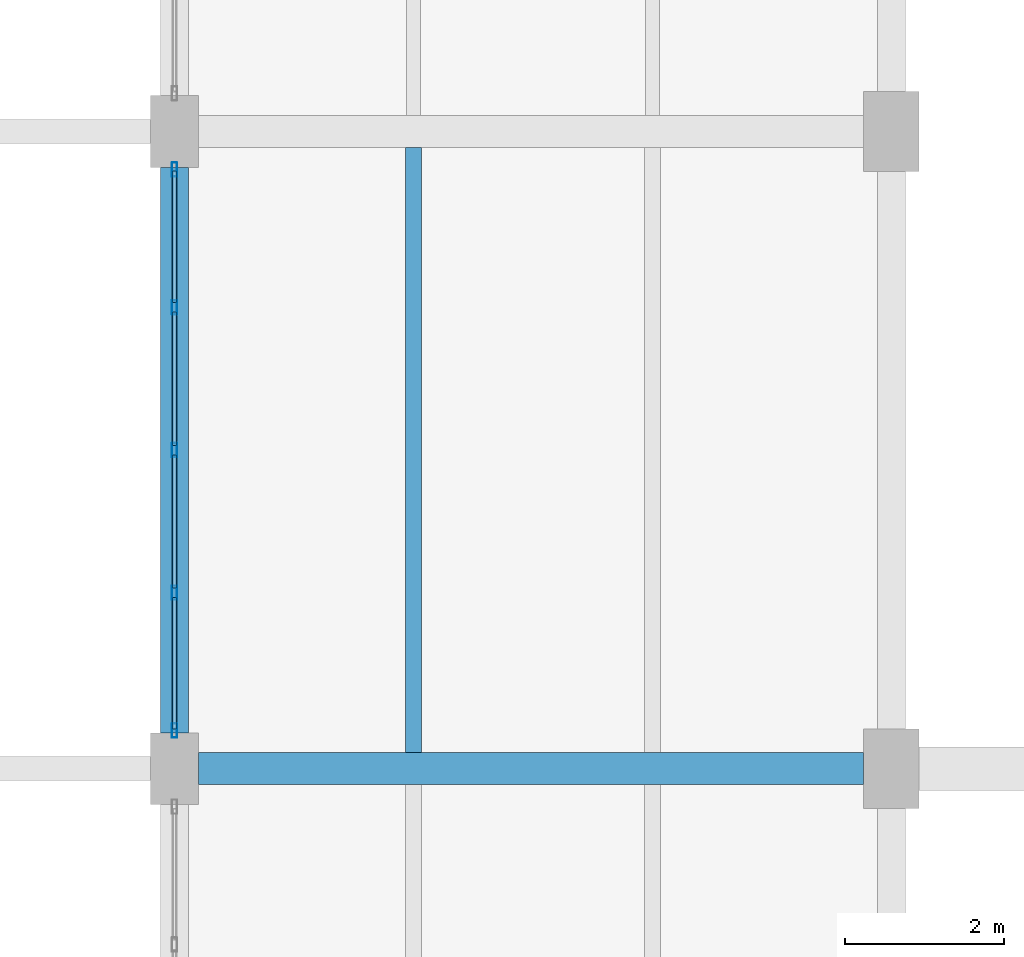
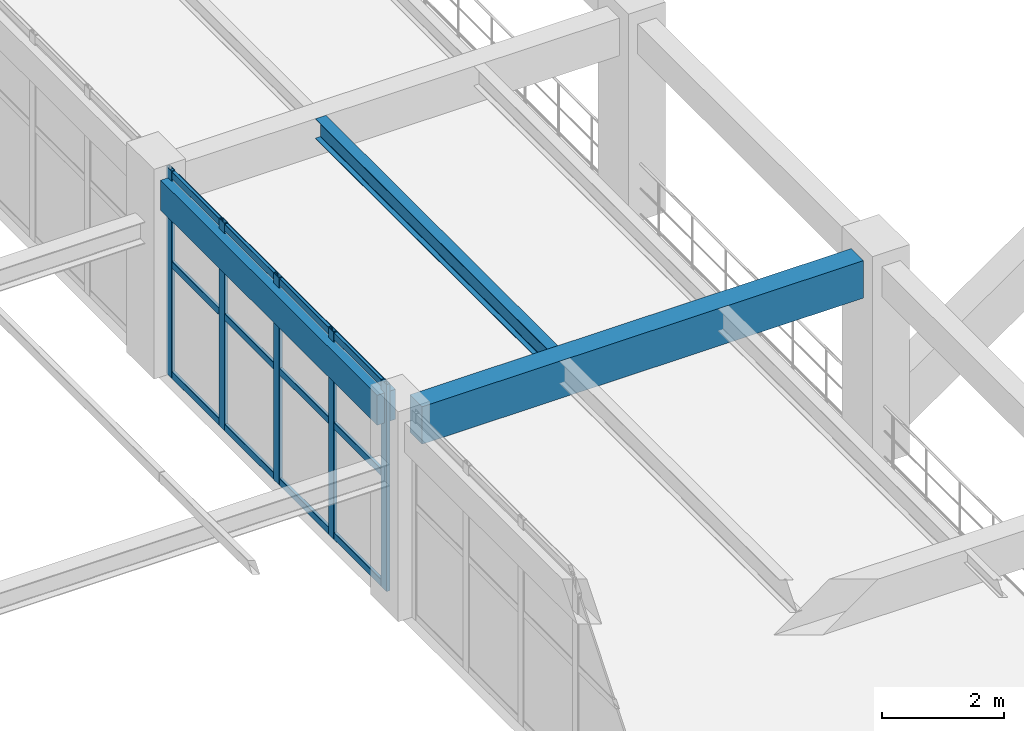
# One storey, part 36 of 148: 17 members, 3 beams, 1 element without a shape of its own.
"""IFC4 building model written with IfcOpenShell, lengths in metres."""

from ifc_helpers import new_model, si_unit, derived_unit, direction, frame, origin, origin_2d, place, context, subcontext, project, spatial, rectangle, hollow_rectangle, i_section, extrude, material, material_profile, profile_set, type_object, element, aggregate, save


model = new_model("IFC4")

# Units and contexts
model_context = context("Model", 3, precision=1e-05, world=origin(), true_north=direction((0.0, 1.0)))
body_context = subcontext(model_context, "Body", "Model", "MODEL_VIEW")
ifc_project = project(units=[si_unit("LENGTHUNIT", "METRE"), si_unit("AREAUNIT", "SQUARE_METRE"), si_unit("VOLUMEUNIT", "CUBIC_METRE"), si_unit("PLANEANGLEUNIT", "RADIAN"), si_unit("MASSUNIT", "GRAM", prefix="KILO"), derived_unit("THERMALTRANSMITTANCEUNIT", [(si_unit("MASSUNIT", "GRAM", prefix="KILO"), 1), (si_unit("TIMEUNIT", "SECOND"), -3), (si_unit("THERMODYNAMICTEMPERATUREUNIT", "KELVIN"), -1)])], contexts=[model_context])

# Site, building, storey
site_placement = place(None, origin())
site = spatial("IfcSite", under=ifc_project, at=site_placement, CompositionType="ELEMENT")
building_placement = place(site_placement, origin())
building = spatial("IfcBuilding", under=site, at=building_placement, Name="Zhenchuan Archway Interchange", CompositionType="ELEMENT")
storey_placement = place(building_placement, frame((0.0, 0.0, 10.199951171875)))
storey = spatial("IfcBuildingStorey", under=building, at=storey_placement, Name="L02", CompositionType="ELEMENT", Elevation=10.199951171875)

# Beam
ifc_material_1 = material(Name="Concrete C40", Category="concrete")
ifc_material_profile_1 = material_profile(ifc_material_1, rectangle(XDim=0.39990234375, YDim=0.75, at=origin_2d()), Name="RC 400x750")
ifc_profile_set_1 = profile_set([ifc_material_profile_1], Name="Concrete C40")
beam_type_1 = type_object("IfcBeamType", Name="BM_RC_400x750", PredefinedType="BEAM", material=ifc_profile_set_1)
beam_1_placement = place(storey_placement, frame((27.300048828125, 48.0, 3.56494140625), z_axis=(1.0, 0.0, 0.0), x_axis=(0.0, 1.0, 0.0)))
element("IfcBeam", 1, at=beam_1_placement, inside=storey, type_object=beam_type_1, Name="Beam G:4-5 (L02)", PredefinedType="BEAM", context=body_context, shape_type="SweptSolid", body=[
    extrude(rectangle(XDim=0.39990234375, YDim=0.75, at=origin_2d()), origin(), (0.0, 0.0, 1.0), 8.349853515625),
])

# Curtain wall, members
ifc_material_2 = material(Name="Anodised Aluminium", Category="aluminium")
curtain_wall_type = type_object("IfcCurtainWallType", Name="CW_UNIT_2", PredefinedType="NOTDEFINED", material=ifc_material_2)
curtain_wall_placement = place(storey_placement, origin())
curtain_wall = element("IfcCurtainWall", 2, at=curtain_wall_placement, inside=storey, type_object=curtain_wall_type, Name="Unitised curtain wall CW:L02:129", PredefinedType="NOTDEFINED")
ifc_material_profile_2 = material_profile(ifc_material_2, hollow_rectangle(XDim=0.070068359375, YDim=0.179931640625, WallThickness=0.00390625, InnerFilletRadius=0.00390625, OuterFilletRadius=0.008056640625, at=origin_2d()), Name="ALU 180x70x4")
ifc_profile_set_2 = profile_set([ifc_material_profile_2], Name="Anodised Aluminium")
member_type_1 = type_object("IfcMemberType", Name="CW_MUL_180", PredefinedType="MULLION", material=ifc_profile_set_2)
member_1_placement = place(storey_placement, frame((27.0, 48.47802734375, 0.0), z_axis=(0.0, 0.0, 1.0), x_axis=(1.0, 0.0, 0.0)))
member_1 = element("IfcMember", 3, at=member_1_placement, type_object=member_type_1, Name="CW:L02:129 mullion 0", PredefinedType="MULLION", context=body_context, shape_type="SweptSolid", body=[
    extrude(hollow_rectangle(XDim=0.070068359375, YDim=0.179931640625, WallThickness=0.00390625, InnerFilletRadius=0.00390625, OuterFilletRadius=0.008056640625, at=origin_2d()), origin(), (0.0, 0.0, 1.0), 4.14013671875),
])
member_2_placement = place(storey_placement, frame((27.0, 50.208984375, 0.0), z_axis=(0.0, 0.0, 1.0), x_axis=(1.0, 0.0, 0.0)))
member_2 = element("IfcMember", 4, at=member_2_placement, type_object=member_type_1, Name="CW:L02:129 mullion 1", PredefinedType="MULLION", context=body_context, shape_type="SweptSolid", body=[
    extrude(hollow_rectangle(XDim=0.070068359375, YDim=0.179931640625, WallThickness=0.00390625, InnerFilletRadius=0.00390625, OuterFilletRadius=0.008056640625, at=origin_2d()), origin(), (0.0, 0.0, 1.0), 4.14013671875),
])
member_3_placement = place(storey_placement, frame((27.0, 52.0, 0.0), z_axis=(0.0, 0.0, 1.0), x_axis=(1.0, 0.0, 0.0)))
member_3 = element("IfcMember", 5, at=member_3_placement, type_object=member_type_1, Name="CW:L02:129 mullion 2", PredefinedType="MULLION", context=body_context, shape_type="SweptSolid", body=[
    extrude(hollow_rectangle(XDim=0.070068359375, YDim=0.179931640625, WallThickness=0.00390625, InnerFilletRadius=0.00390625, OuterFilletRadius=0.008056640625, at=origin_2d()), origin(), (0.0, 0.0, 1.0), 4.14013671875),
])
member_4_placement = place(storey_placement, frame((27.0, 53.791015625, 0.0), z_axis=(0.0, 0.0, 1.0), x_axis=(1.0, 0.0, 0.0)))
member_4 = element("IfcMember", 6, at=member_4_placement, type_object=member_type_1, Name="CW:L02:129 mullion 3", PredefinedType="MULLION", context=body_context, shape_type="SweptSolid", body=[
    extrude(hollow_rectangle(XDim=0.070068359375, YDim=0.179931640625, WallThickness=0.00390625, InnerFilletRadius=0.00390625, OuterFilletRadius=0.008056640625, at=origin_2d()), origin(), (0.0, 0.0, 1.0), 4.14013671875),
])
member_5_placement = place(storey_placement, frame((27.0, 55.52197265625, 0.0), z_axis=(0.0, 0.0, 1.0), x_axis=(1.0, 0.0, 0.0)))
member_5 = element("IfcMember", 7, at=member_5_placement, type_object=member_type_1, Name="CW:L02:129 mullion 4", PredefinedType="MULLION", context=body_context, shape_type="SweptSolid", body=[
    extrude(hollow_rectangle(XDim=0.070068359375, YDim=0.179931640625, WallThickness=0.00390625, InnerFilletRadius=0.00390625, OuterFilletRadius=0.008056640625, at=origin_2d()), origin(), (0.0, 0.0, 1.0), 4.14013671875),
])
ifc_material_profile_3 = material_profile(ifc_material_2, hollow_rectangle(XDim=0.06005859375, YDim=0.139892578125, WallThickness=0.00341796875, InnerFilletRadius=0.00341796875, OuterFilletRadius=0.007080078125, at=origin_2d()), Name="ALU 140x60x3.5")
ifc_profile_set_3 = profile_set([ifc_material_profile_3], Name="Anodised Aluminium")
member_type_2 = type_object("IfcMemberType", Name="CW_TRN_140", PredefinedType="USERDEFINED", material=ifc_profile_set_3)
member_6_placement = place(storey_placement, frame((27.0, 48.498046875, 0.06005859375), z_axis=(0.0, 1.0, 0.0), x_axis=(-1.0, 0.0, 0.0)))
member_6 = element("IfcMember", 8, at=member_6_placement, type_object=member_type_2, Name="CW:L02:129 transom 0-1", ObjectType="TRANSOM", PredefinedType="USERDEFINED", context=body_context, shape_type="SweptSolid", body=[
    extrude(hollow_rectangle(XDim=0.06005859375, YDim=0.139892578125, WallThickness=0.00341796875, InnerFilletRadius=0.00341796875, OuterFilletRadius=0.007080078125, at=origin_2d()), origin(), (0.0, 0.0, 1.0), 1.65087890625),
])
member_7_placement = place(storey_placement, frame((27.0, 48.498046875, 2.26611328125), z_axis=(0.0, 1.0, 0.0), x_axis=(-1.0, 0.0, 0.0)))
member_7 = element("IfcMember", 9, at=member_7_placement, type_object=member_type_2, Name="CW:L02:129 transom 0-2", ObjectType="TRANSOM", PredefinedType="USERDEFINED", context=body_context, shape_type="SweptSolid", body=[
    extrude(hollow_rectangle(XDim=0.06005859375, YDim=0.139892578125, WallThickness=0.00341796875, InnerFilletRadius=0.00341796875, OuterFilletRadius=0.007080078125, at=origin_2d()), origin(), (0.0, 0.0, 1.0), 1.65087890625),
])
member_8_placement = place(storey_placement, frame((27.0, 48.498046875, 4.06005859375), z_axis=(0.0, 1.0, 0.0), x_axis=(-1.0, 0.0, 0.0)))
member_8 = element("IfcMember", 10, at=member_8_placement, type_object=member_type_2, Name="CW:L02:129 transom 0-3", ObjectType="TRANSOM", PredefinedType="USERDEFINED", context=body_context, shape_type="SweptSolid", body=[
    extrude(hollow_rectangle(XDim=0.06005859375, YDim=0.139892578125, WallThickness=0.00341796875, InnerFilletRadius=0.00341796875, OuterFilletRadius=0.007080078125, at=origin_2d()), origin(), (0.0, 0.0, 1.0), 1.65087890625),
])
member_9_placement = place(storey_placement, frame((27.0, 50.26904296875, 0.06005859375), z_axis=(0.0, 1.0, 0.0), x_axis=(-1.0, 0.0, 0.0)))
member_9 = element("IfcMember", 11, at=member_9_placement, type_object=member_type_2, Name="CW:L02:129 transom 1-1", ObjectType="TRANSOM", PredefinedType="USERDEFINED", context=body_context, shape_type="SweptSolid", body=[
    extrude(hollow_rectangle(XDim=0.06005859375, YDim=0.139892578125, WallThickness=0.00341796875, InnerFilletRadius=0.00341796875, OuterFilletRadius=0.007080078125, at=origin_2d()), origin(), (0.0, 0.0, 1.0), 1.6708984375),
])
member_10_placement = place(storey_placement, frame((27.0, 50.26904296875, 2.26611328125), z_axis=(0.0, 1.0, 0.0), x_axis=(-1.0, 0.0, 0.0)))
member_10 = element("IfcMember", 12, at=member_10_placement, type_object=member_type_2, Name="CW:L02:129 transom 1-2", ObjectType="TRANSOM", PredefinedType="USERDEFINED", context=body_context, shape_type="SweptSolid", body=[
    extrude(hollow_rectangle(XDim=0.06005859375, YDim=0.139892578125, WallThickness=0.00341796875, InnerFilletRadius=0.00341796875, OuterFilletRadius=0.007080078125, at=origin_2d()), origin(), (0.0, 0.0, 1.0), 1.6708984375),
])
member_11_placement = place(storey_placement, frame((27.0, 50.26904296875, 4.06005859375), z_axis=(0.0, 1.0, 0.0), x_axis=(-1.0, 0.0, 0.0)))
member_11 = element("IfcMember", 13, at=member_11_placement, type_object=member_type_2, Name="CW:L02:129 transom 1-3", ObjectType="TRANSOM", PredefinedType="USERDEFINED", context=body_context, shape_type="SweptSolid", body=[
    extrude(hollow_rectangle(XDim=0.06005859375, YDim=0.139892578125, WallThickness=0.00341796875, InnerFilletRadius=0.00341796875, OuterFilletRadius=0.007080078125, at=origin_2d()), origin(), (0.0, 0.0, 1.0), 1.6708984375),
])
member_12_placement = place(storey_placement, frame((27.0, 52.06005859375, 0.06005859375), z_axis=(0.0, 1.0, 0.0), x_axis=(-1.0, 0.0, 0.0)))
member_12 = element("IfcMember", 14, at=member_12_placement, type_object=member_type_2, Name="CW:L02:129 transom 2-1", ObjectType="TRANSOM", PredefinedType="USERDEFINED", context=body_context, shape_type="SweptSolid", body=[
    extrude(hollow_rectangle(XDim=0.06005859375, YDim=0.139892578125, WallThickness=0.00341796875, InnerFilletRadius=0.00341796875, OuterFilletRadius=0.007080078125, at=origin_2d()), origin(), (0.0, 0.0, 1.0), 1.6708984375),
])
member_13_placement = place(storey_placement, frame((27.0, 52.06005859375, 2.26611328125), z_axis=(0.0, 1.0, 0.0), x_axis=(-1.0, 0.0, 0.0)))
member_13 = element("IfcMember", 15, at=member_13_placement, type_object=member_type_2, Name="CW:L02:129 transom 2-2", ObjectType="TRANSOM", PredefinedType="USERDEFINED", context=body_context, shape_type="SweptSolid", body=[
    extrude(hollow_rectangle(XDim=0.06005859375, YDim=0.139892578125, WallThickness=0.00341796875, InnerFilletRadius=0.00341796875, OuterFilletRadius=0.007080078125, at=origin_2d()), origin(), (0.0, 0.0, 1.0), 1.6708984375),
])
member_14_placement = place(storey_placement, frame((27.0, 52.06005859375, 4.06005859375), z_axis=(0.0, 1.0, 0.0), x_axis=(-1.0, 0.0, 0.0)))
member_14 = element("IfcMember", 16, at=member_14_placement, type_object=member_type_2, Name="CW:L02:129 transom 2-3", ObjectType="TRANSOM", PredefinedType="USERDEFINED", context=body_context, shape_type="SweptSolid", body=[
    extrude(hollow_rectangle(XDim=0.06005859375, YDim=0.139892578125, WallThickness=0.00341796875, InnerFilletRadius=0.00341796875, OuterFilletRadius=0.007080078125, at=origin_2d()), origin(), (0.0, 0.0, 1.0), 1.6708984375),
])
member_15_placement = place(storey_placement, frame((27.0, 53.85107421875, 0.06005859375), z_axis=(0.0, 1.0, 0.0), x_axis=(-1.0, 0.0, 0.0)))
member_15 = element("IfcMember", 17, at=member_15_placement, type_object=member_type_2, Name="CW:L02:129 transom 3-1", ObjectType="TRANSOM", PredefinedType="USERDEFINED", context=body_context, shape_type="SweptSolid", body=[
    extrude(hollow_rectangle(XDim=0.06005859375, YDim=0.139892578125, WallThickness=0.00341796875, InnerFilletRadius=0.00341796875, OuterFilletRadius=0.007080078125, at=origin_2d()), origin(), (0.0, 0.0, 1.0), 1.65087890625),
])
member_16_placement = place(storey_placement, frame((27.0, 53.85107421875, 2.26611328125), z_axis=(0.0, 1.0, 0.0), x_axis=(-1.0, 0.0, 0.0)))
member_16 = element("IfcMember", 18, at=member_16_placement, type_object=member_type_2, Name="CW:L02:129 transom 3-2", ObjectType="TRANSOM", PredefinedType="USERDEFINED", context=body_context, shape_type="SweptSolid", body=[
    extrude(hollow_rectangle(XDim=0.06005859375, YDim=0.139892578125, WallThickness=0.00341796875, InnerFilletRadius=0.00341796875, OuterFilletRadius=0.007080078125, at=origin_2d()), origin(), (0.0, 0.0, 1.0), 1.65087890625),
])
member_17_placement = place(storey_placement, frame((27.0, 53.85107421875, 4.06005859375), z_axis=(0.0, 1.0, 0.0), x_axis=(-1.0, 0.0, 0.0)))
member_17 = element("IfcMember", 19, at=member_17_placement, type_object=member_type_2, Name="CW:L02:129 transom 3-3", ObjectType="TRANSOM", PredefinedType="USERDEFINED", context=body_context, shape_type="SweptSolid", body=[
    extrude(hollow_rectangle(XDim=0.06005859375, YDim=0.139892578125, WallThickness=0.00341796875, InnerFilletRadius=0.00341796875, OuterFilletRadius=0.007080078125, at=origin_2d()), origin(), (0.0, 0.0, 1.0), 1.65087890625),
])
aggregate(curtain_wall, [member_1, member_2, member_3, member_4, member_5, member_6, member_7, member_8, member_9, member_10, member_11, member_12, member_13, member_14, member_15, member_16, member_17])

# Beams
ifc_material_3 = material(Name="Steel Q355", Category="steel")
ifc_material_profile_4 = material_profile(ifc_material_3, i_section(OverallWidth=0.199951171875, OverallDepth=0.39990234375, WebThickness=0.008056640625, FlangeThickness=0.012939453125, FilletRadius=0.01611328125, at=origin_2d()), Name="HN 400x200")
ifc_profile_set_4 = profile_set([ifc_material_profile_4], Name="Steel Q355")
beam_type_2 = type_object("IfcBeamType", Name="JST_STL_HN400", PredefinedType="JOIST", material=ifc_profile_set_4)
beam_2_placement = place(storey_placement, frame((30.0, 48.199951171875, 3.739990234375), z_axis=(0.0, 1.0, 0.0), x_axis=(-1.0, 0.0, 0.0)))
element("IfcBeam", 20, at=beam_2_placement, inside=storey, type_object=beam_type_2, Name="Secondary joist 4-5/G-H #1 (L02)", PredefinedType="JOIST", context=body_context, shape_type="SweptSolid", body=[
    extrude(i_section(OverallWidth=0.199951171875, OverallDepth=0.39990234375, WebThickness=0.008056640625, FlangeThickness=0.012939453125, FilletRadius=0.01611328125, at=origin_2d()), origin(), (0.0, 0.0, 1.0), 7.60009765625),
])
ifc_material_profile_5 = material_profile(ifc_material_1, rectangle(XDim=0.35009765625, YDim=0.60009765625, at=origin_2d()), Name="RC 350x600")
ifc_profile_set_5 = profile_set([ifc_material_profile_5], Name="Concrete C40")
beam_type_3 = type_object("IfcBeamType", Name="SP_RC_350x600", PredefinedType="SPANDREL", material=ifc_profile_set_5)
beam_3_placement = place(storey_placement, frame((27.0, 48.449951171875, 3.64013671875), z_axis=(0.0, 1.0, 0.0), x_axis=(-1.0, 0.0, 0.0)))
element("IfcBeam", 21, at=beam_3_placement, inside=storey, type_object=beam_type_3, Name="Beam 4:G-H (L02)", PredefinedType="SPANDREL", context=body_context, shape_type="SweptSolid", body=[
    extrude(rectangle(XDim=0.35009765625, YDim=0.60009765625, at=origin_2d()), origin(), (0.0, 0.0, 1.0), 7.10009765625),
])

save(model, "model.ifc")
